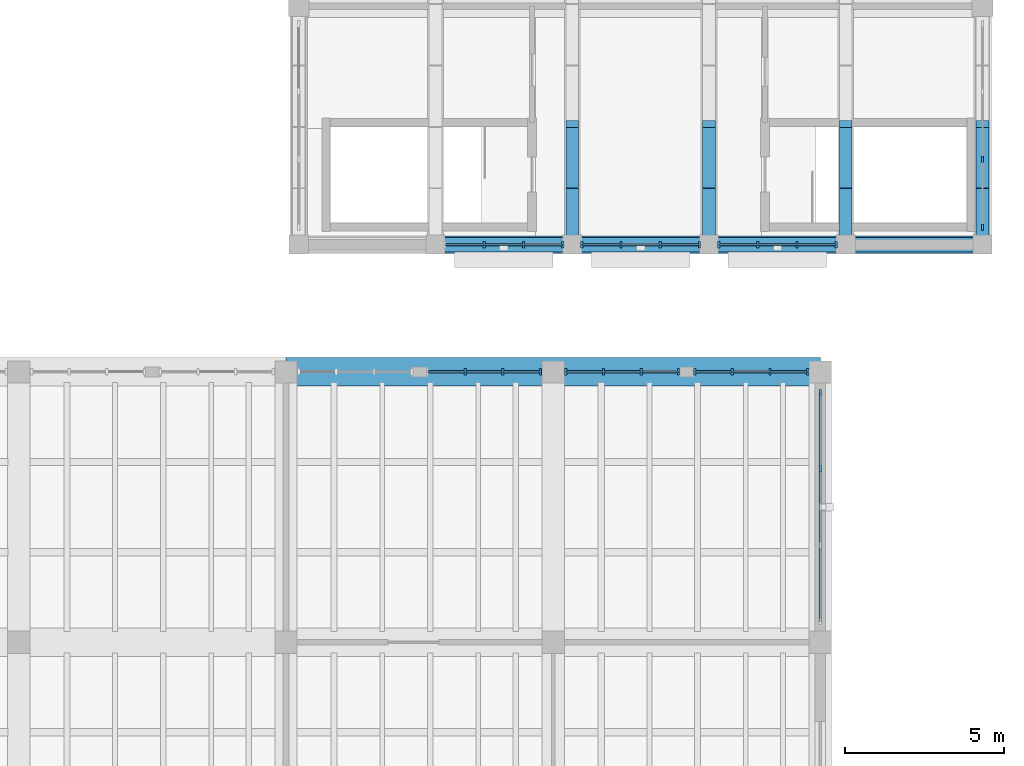
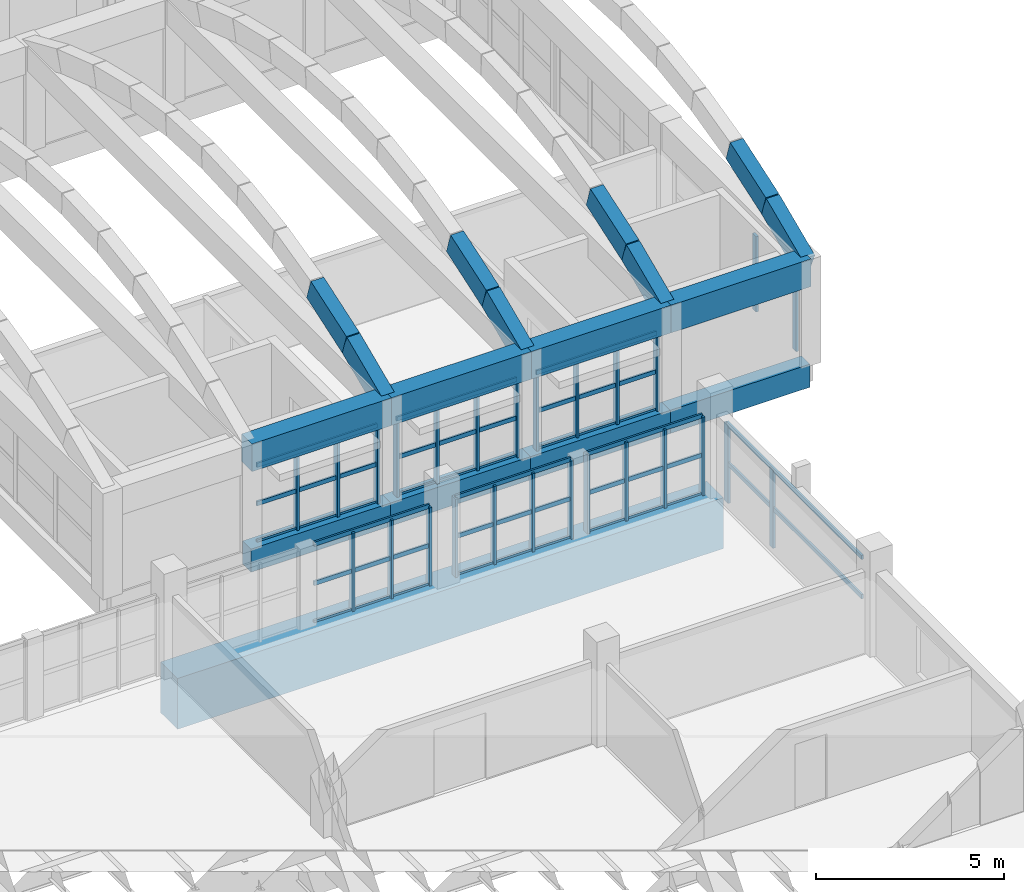
# One storey, part 41 of 77: 54 members, 9 beams, 8 elements without a shape of their own.
"""IFC4 building model written with IfcOpenShell, lengths in metres."""

from ifc_helpers import new_model, si_unit, direction, frame, origin, origin_2d, place, context, subcontext, project, spatial, rectangle, extrude, material, layer, layer_set, material_profile, profile_set, type_object, element, aggregate, save


model = new_model("IFC4")

# Units and contexts
model_context = context("Model", 3, precision=1e-05, world=origin(), true_north=direction((0.0, 1.0)))
body_context = subcontext(model_context, "Body", "Model", "MODEL_VIEW")
ifc_project = project(units=[si_unit("LENGTHUNIT", "METRE"), si_unit("AREAUNIT", "SQUARE_METRE"), si_unit("VOLUMEUNIT", "CUBIC_METRE"), si_unit("PLANEANGLEUNIT", "RADIAN"), si_unit("MASSUNIT", "GRAM", prefix="KILO")], contexts=[model_context])

# Site, building, storey
site_placement = place(None, origin())
site = spatial("IfcSite", under=ifc_project, at=site_placement, CompositionType="ELEMENT")
building_placement = place(site_placement, origin())
building = spatial("IfcBuilding", under=site, at=building_placement, Name="Trellovar Central Fire Station", CompositionType="ELEMENT")
storey_placement = place(building_placement, frame((0.0, 0.0, 5.85009765625)))
storey = spatial("IfcBuildingStorey", under=building, at=storey_placement, Name="L02", CompositionType="ELEMENT", Elevation=5.85009765625)

# Beams
ifc_material_1 = material(Name="Concrete C40/50", Category="concrete")
ifc_material_profile_1 = material_profile(ifc_material_1, rectangle(XDim=0.449951171875, YDim=0.75, at=origin_2d()), Name="RC450X750")
ifc_profile_set_1 = profile_set([ifc_material_profile_1], Name="Concrete C40/50")
beam_type_1 = type_object("IfcBeamType", Name="BM-G2", PredefinedType="BEAM", material=ifc_profile_set_1)
beam_1_placement = place(storey_placement, frame((143.800048828125, 37.0, -0.375), z_axis=(1.0, 0.0, 0.0), x_axis=(0.0, 1.0, 0.0)))
element("IfcBeam", 1, at=beam_1_placement, inside=storey, type_object=beam_type_1, Name="L02 beam G-2", PredefinedType="BEAM", context=body_context, shape_type="SweptSolid", body=[
    extrude(rectangle(XDim=0.449951171875, YDim=0.75, at=origin_2d()), origin(), (0.0, 0.0, 1.0), 4.300048828125),
])
beam_2_placement = place(storey_placement, frame((148.10009765625, 37.0, -0.375), z_axis=(1.0, 0.0, 0.0), x_axis=(0.0, 1.0, 0.0)))
element("IfcBeam", 2, at=beam_2_placement, inside=storey, type_object=beam_type_1, Name="L02 beam G-2", PredefinedType="BEAM", context=body_context, shape_type="SweptSolid", body=[
    extrude(rectangle(XDim=0.449951171875, YDim=0.75, at=origin_2d()), origin(), (0.0, 0.0, 1.0), 4.2998046875),
])
for number, where, z_axis, x_axis, name in (
    (3, (152.39990234375, 37.0, -0.375), (1.0, 0.0, 0.0), (0.0, 1.0, 0.0), "L02 beam G-2"),
    (4, (156.699951171875, 37.0, -0.375), (1.0, 0.0, 0.0), (0.0, 1.0, 0.0), "L02 beam G-2"),
):
    element("IfcBeam", number, at=place(storey_placement, frame(where, z_axis=z_axis, x_axis=x_axis)), inside=storey, type_object=beam_type_1, Name=name, PredefinedType="BEAM", context=body_context, shape_type="SweptSolid", body=[
        extrude(rectangle(XDim=0.449951171875, YDim=0.75, at=origin_2d()), origin(), (0.0, 0.0, 1.0), 4.300048828125),
    ])
ifc_material_2 = material(Name="Concrete C40/50", Category="concrete")
ifc_material_profile_2 = material_profile(ifc_material_2, rectangle(XDim=0.550048828125, YDim=0.89990234375, at=origin_2d()), Name="RC550X900")
ifc_profile_set_2 = profile_set([ifc_material_profile_2], Name="Concrete C40/50")
beam_type_2 = type_object("IfcBeamType", Name="BM-RG3", PredefinedType="BEAM", material=ifc_profile_set_2)
beam_3_placement = place(storey_placement, frame((143.800048828125, 37.0, 3.0), z_axis=(1.0, 0.0, 0.0), x_axis=(0.0, 1.0, 0.0)))
element("IfcBeam", 5, at=beam_3_placement, inside=storey, type_object=beam_type_2, Name="L02 beam RG-3", PredefinedType="BEAM", context=body_context, shape_type="SweptSolid", body=[
    extrude(rectangle(XDim=0.550048828125, YDim=0.89990234375, at=origin_2d()), origin(), (0.0, 0.0, 1.0), 4.300048828125),
])
beam_4_placement = place(storey_placement, frame((148.10009765625, 37.0, 3.0), z_axis=(1.0, 0.0, 0.0), x_axis=(0.0, 1.0, 0.0)))
element("IfcBeam", 6, at=beam_4_placement, inside=storey, type_object=beam_type_2, Name="L02 beam RG-3", PredefinedType="BEAM", context=body_context, shape_type="SweptSolid", body=[
    extrude(rectangle(XDim=0.550048828125, YDim=0.89990234375, at=origin_2d()), origin(), (0.0, 0.0, 1.0), 4.2998046875),
])
for number, where, z_axis, x_axis, name in (
    (7, (152.39990234375, 37.0, 3.0), (1.0, 0.0, 0.0), (0.0, 1.0, 0.0), "L02 beam RG-3"),
    (8, (156.699951171875, 37.0, 3.0), (1.0, 0.0, 0.0), (0.0, 1.0, 0.0), "L02 beam RG-3"),
):
    element("IfcBeam", number, at=place(storey_placement, frame(where, z_axis=z_axis, x_axis=x_axis)), inside=storey, type_object=beam_type_2, Name=name, PredefinedType="BEAM", context=body_context, shape_type="SweptSolid", body=[
        extrude(rectangle(XDim=0.550048828125, YDim=0.89990234375, at=origin_2d()), origin(), (0.0, 0.0, 1.0), 4.300048828125),
    ])
ifc_material_3 = material(Name="Concrete C45/55", Category="concrete")
ifc_material_profile_3 = material_profile(ifc_material_3, rectangle(XDim=0.89990234375, YDim=1.64990234375, at=origin_2d()), Name="RC900X1650")
ifc_profile_set_3 = profile_set([ifc_material_profile_3], Name="Concrete C45/55")
beam_type_3 = type_object("IfcBeamType", Name="BM-TG1", PredefinedType="BEAM", material=ifc_profile_set_3)
beam_5_placement = place(storey_placement, frame((139.10009765625, 33.0, -0.8251953125), z_axis=(1.0, 0.0, 0.0), x_axis=(0.0, 1.0, 0.0)))
element("IfcBeam", 9, at=beam_5_placement, inside=storey, type_object=beam_type_3, Name="L02 RC transfer girder TG-1 (139.1..155.9, Y=33.0)", PredefinedType="BEAM", context=body_context, shape_type="SweptSolid", body=[
    extrude(rectangle(XDim=0.89990234375, YDim=1.64990234375, at=origin_2d()), origin(), (0.0, 0.0, 1.0), 16.7998046875),
])

# Curtain wall, members
ifc_material_4 = material(Name="Thermally broken bronze anodized aluminum", Category="aluminium")
ifc_layer_1 = layer(ifc_material_4, 0.159912109375)
ifc_layer_set_1 = layer_set([ifc_layer_1], Name="Thermally broken bronze anodized aluminum")
curtain_wall_type_1 = type_object("IfcCurtainWallType", Name="CW-09", PredefinedType="NOTDEFINED", material=ifc_layer_set_1)
curtain_wall_1_placement = place(storey_placement, origin())
curtain_wall_1 = element("IfcCurtainWall", 10, at=curtain_wall_1_placement, inside=storey, type_object=curtain_wall_type_1, Name="L02 curtain wall CW-9", PredefinedType="NOTDEFINED")
ifc_material_5 = material(Name="Thermally broken bronze anodized aluminum", Category="aluminium")
ifc_material_profile_4 = material_profile(ifc_material_5, rectangle(XDim=0.074951171875, YDim=0.199951171875, at=origin_2d()), Name="ALU75X200")
ifc_profile_set_4 = profile_set([ifc_material_profile_4], Name="Thermally broken bronze anodized aluminum")
member_type_1 = type_object("IfcMemberType", Name="CWM-1", PredefinedType="MULLION", material=ifc_profile_set_4)
member_1_placement = place(storey_placement, frame((147.10009765625, 33.0, 0.0), z_axis=(0.0, 0.0, 1.0), x_axis=(1.0, 0.0, 0.0)))
member_1 = element("IfcMember", 11, at=member_1_placement, type_object=member_type_1, Name="CW3-L02-0067 mullion 1", PredefinedType="MULLION", context=body_context, shape_type="SweptSolid", body=[
    extrude(rectangle(XDim=0.074951171875, YDim=0.199951171875, at=origin_2d()), origin(), (0.0, 0.0, 1.0), 2.5498046875),
])
member_2_placement = place(storey_placement, frame((145.916748046875, 33.0, 0.0), z_axis=(0.0, 0.0, 1.0), x_axis=(1.0, 0.0, 0.0)))
member_2 = element("IfcMember", 12, at=member_2_placement, type_object=member_type_1, Name="CW3-L02-0067 mullion 2", PredefinedType="MULLION", context=body_context, shape_type="SweptSolid", body=[
    extrude(rectangle(XDim=0.074951171875, YDim=0.199951171875, at=origin_2d()), origin(), (0.0, 0.0, 1.0), 2.5498046875),
])
member_3_placement = place(storey_placement, frame((144.7333984375, 33.0, 0.0), z_axis=(0.0, 0.0, 1.0), x_axis=(1.0, 0.0, 0.0)))
member_3 = element("IfcMember", 13, at=member_3_placement, type_object=member_type_1, Name="CW3-L02-0067 mullion 3", PredefinedType="MULLION", context=body_context, shape_type="SweptSolid", body=[
    extrude(rectangle(XDim=0.074951171875, YDim=0.199951171875, at=origin_2d()), origin(), (0.0, 0.0, 1.0), 2.5498046875),
])

curtain_wall_2_placement = place(storey_placement, origin())
curtain_wall_2 = element("IfcCurtainWall", 14, at=curtain_wall_2_placement, inside=storey, type_object=curtain_wall_type_1, Name="L02 curtain wall CW-9", PredefinedType="NOTDEFINED")
member_4_placement = place(storey_placement, frame((155.5, 33.0, 0.0), z_axis=(0.0, 0.0, 1.0), x_axis=(1.0, 0.0, 0.0)))
member_4 = element("IfcMember", 15, at=member_4_placement, type_object=member_type_1, Name="CW3-L02-0069 mullion 1", PredefinedType="MULLION", context=body_context, shape_type="SweptSolid", body=[
    extrude(rectangle(XDim=0.074951171875, YDim=0.199951171875, at=origin_2d()), origin(), (0.0, 0.0, 1.0), 2.5498046875),
])
member_5_placement = place(storey_placement, frame((154.316650390625, 33.0, 0.0), z_axis=(0.0, 0.0, 1.0), x_axis=(1.0, 0.0, 0.0)))
member_5 = element("IfcMember", 16, at=member_5_placement, type_object=member_type_1, Name="CW3-L02-0069 mullion 2", PredefinedType="MULLION", context=body_context, shape_type="SweptSolid", body=[
    extrude(rectangle(XDim=0.074951171875, YDim=0.199951171875, at=origin_2d()), origin(), (0.0, 0.0, 1.0), 2.5498046875),
])
member_6_placement = place(storey_placement, frame((153.13330078125, 33.0, 0.0), z_axis=(0.0, 0.0, 1.0), x_axis=(1.0, 0.0, 0.0)))
member_6 = element("IfcMember", 17, at=member_6_placement, type_object=member_type_1, Name="CW3-L02-0069 mullion 3", PredefinedType="MULLION", context=body_context, shape_type="SweptSolid", body=[
    extrude(rectangle(XDim=0.074951171875, YDim=0.199951171875, at=origin_2d()), origin(), (0.0, 0.0, 1.0), 2.5498046875),
])
member_7_placement = place(storey_placement, frame((151.949951171875, 33.0, 0.0), z_axis=(0.0, 0.0, 1.0), x_axis=(1.0, 0.0, 0.0)))
member_7 = element("IfcMember", 18, at=member_7_placement, type_object=member_type_1, Name="CW3-L02-0069 mullion 4", PredefinedType="MULLION", context=body_context, shape_type="SweptSolid", body=[
    extrude(rectangle(XDim=0.074951171875, YDim=0.199951171875, at=origin_2d()), origin(), (0.0, 0.0, 1.0), 2.5498046875),
])

ifc_material_6 = material(Name="Thermally broken bronze anodized aluminum", Category="aluminium")
ifc_layer_2 = layer(ifc_material_6, 0.159912109375)
ifc_layer_set_2 = layer_set([ifc_layer_2], Name="Thermally broken bronze anodized aluminum")
curtain_wall_type_2 = type_object("IfcCurtainWallType", Name="CW-10", PredefinedType="NOTDEFINED", material=ifc_layer_set_2)
curtain_wall_3_placement = place(storey_placement, origin())
curtain_wall_3 = element("IfcCurtainWall", 19, at=curtain_wall_3_placement, inside=storey, type_object=curtain_wall_type_2, Name="L02 curtain wall CW-10", PredefinedType="NOTDEFINED")
member_8_placement = place(storey_placement, frame((151.449951171875, 33.0, 0.0), z_axis=(0.0, 0.0, 1.0), x_axis=(1.0, 0.0, 0.0)))
member_8 = element("IfcMember", 20, at=member_8_placement, type_object=member_type_1, Name="CW3-L02-0070 mullion 1", PredefinedType="MULLION", context=body_context, shape_type="SweptSolid", body=[
    extrude(rectangle(XDim=0.074951171875, YDim=0.199951171875, at=origin_2d()), origin(), (0.0, 0.0, 1.0), 2.5498046875),
])
member_9_placement = place(storey_placement, frame((150.2666015625, 33.0, 0.0), z_axis=(0.0, 0.0, 1.0), x_axis=(1.0, 0.0, 0.0)))
member_9 = element("IfcMember", 21, at=member_9_placement, type_object=member_type_1, Name="CW3-L02-0070 mullion 2", PredefinedType="MULLION", context=body_context, shape_type="SweptSolid", body=[
    extrude(rectangle(XDim=0.074951171875, YDim=0.199951171875, at=origin_2d()), origin(), (0.0, 0.0, 1.0), 2.5498046875),
])
member_10_placement = place(storey_placement, frame((149.083251953125, 33.0, 0.0), z_axis=(0.0, 0.0, 1.0), x_axis=(1.0, 0.0, 0.0)))
member_10 = element("IfcMember", 22, at=member_10_placement, type_object=member_type_1, Name="CW3-L02-0070 mullion 3", PredefinedType="MULLION", context=body_context, shape_type="SweptSolid", body=[
    extrude(rectangle(XDim=0.074951171875, YDim=0.199951171875, at=origin_2d()), origin(), (0.0, 0.0, 1.0), 2.5498046875),
])
member_11_placement = place(storey_placement, frame((147.89990234375, 33.0, 0.0), z_axis=(0.0, 0.0, 1.0), x_axis=(1.0, 0.0, 0.0)))
member_11 = element("IfcMember", 23, at=member_11_placement, type_object=member_type_1, Name="CW3-L02-0070 mullion 4", PredefinedType="MULLION", context=body_context, shape_type="SweptSolid", body=[
    extrude(rectangle(XDim=0.074951171875, YDim=0.199951171875, at=origin_2d()), origin(), (0.0, 0.0, 1.0), 2.5498046875),
])

ifc_material_7 = material(Name="Thermally broken bronze anodized aluminum", Category="aluminium")
ifc_layer_3 = layer(ifc_material_7, 0.159912109375)
ifc_layer_set_3 = layer_set([ifc_layer_3], Name="Thermally broken bronze anodized aluminum")
curtain_wall_type_3 = type_object("IfcCurtainWallType", Name="CW-01", PredefinedType="NOTDEFINED", material=ifc_layer_set_3)
curtain_wall_4_placement = place(storey_placement, origin())
curtain_wall_4 = element("IfcCurtainWall", 24, at=curtain_wall_4_placement, inside=storey, type_object=curtain_wall_type_3, Name="L02 curtain wall CW-1", PredefinedType="NOTDEFINED")
member_12_placement = place(storey_placement, frame((155.89990234375, 29.949951171875, 0.0), z_axis=(0.0, 0.0, 1.0), x_axis=(1.0, 0.0, 0.0)))
member_12 = element("IfcMember", 25, at=member_12_placement, type_object=member_type_1, Name="CW3-L02-0075 mullion 3", PredefinedType="MULLION", context=body_context, shape_type="SweptSolid", body=[
    extrude(rectangle(XDim=0.074951171875, YDim=0.199951171875, at=origin_2d()), origin(), (0.0, 0.0, 1.0), 2.5498046875),
])
member_13_placement = place(storey_placement, frame((155.89990234375, 32.35009765625, 0.0), z_axis=(0.0, 0.0, 1.0), x_axis=(1.0, 0.0, 0.0)))
member_13 = element("IfcMember", 26, at=member_13_placement, type_object=member_type_1, Name="CW3-L02-0075 mullion 4", PredefinedType="MULLION", context=body_context, shape_type="SweptSolid", body=[
    extrude(rectangle(XDim=0.074951171875, YDim=0.199951171875, at=origin_2d()), origin(), (0.0, 0.0, 1.0), 2.5498046875),
])

ifc_material_8 = material(Name="Thermally broken bronze anodized aluminum", Category="aluminium")
ifc_layer_4 = layer(ifc_material_8, 0.159912109375)
ifc_layer_set_4 = layer_set([ifc_layer_4], Name="Thermally broken bronze anodized aluminum")
curtain_wall_type_4 = type_object("IfcCurtainWallType", Name="CW-07", PredefinedType="NOTDEFINED", material=ifc_layer_set_4)
curtain_wall_5_placement = place(storey_placement, origin())
curtain_wall_5 = element("IfcCurtainWall", 27, at=curtain_wall_5_placement, inside=storey, type_object=curtain_wall_type_4, Name="L02 curtain wall CW-7", PredefinedType="NOTDEFINED")
member_14_placement = place(storey_placement, frame((145.333251953125, 37.0, 0.0), z_axis=(0.0, 0.0, 1.0), x_axis=(1.0, 0.0, 0.0)))
member_14 = element("IfcMember", 28, at=member_14_placement, type_object=member_type_1, Name="CW3-L02-0144 mullion 2", PredefinedType="MULLION", context=body_context, shape_type="SweptSolid", body=[
    extrude(rectangle(XDim=0.074951171875, YDim=0.199951171875, at=origin_2d()), origin(), (0.0, 0.0, 1.0), 2.5),
])
member_15_placement = place(storey_placement, frame((146.566650390625, 37.0, 0.0), z_axis=(0.0, 0.0, 1.0), x_axis=(1.0, 0.0, 0.0)))
member_15 = element("IfcMember", 29, at=member_15_placement, type_object=member_type_1, Name="CW3-L02-0144 mullion 3", PredefinedType="MULLION", context=body_context, shape_type="SweptSolid", body=[
    extrude(rectangle(XDim=0.074951171875, YDim=0.199951171875, at=origin_2d()), origin(), (0.0, 0.0, 1.0), 2.5),
])
member_16_placement = place(storey_placement, frame((147.800048828125, 37.0, 0.0), z_axis=(0.0, 0.0, 1.0), x_axis=(1.0, 0.0, 0.0)))
member_16 = element("IfcMember", 30, at=member_16_placement, type_object=member_type_1, Name="CW3-L02-0144 mullion 4", PredefinedType="MULLION", context=body_context, shape_type="SweptSolid", body=[
    extrude(rectangle(XDim=0.074951171875, YDim=0.199951171875, at=origin_2d()), origin(), (0.0, 0.0, 1.0), 2.5),
])

curtain_wall_6_placement = place(storey_placement, origin())
curtain_wall_6 = element("IfcCurtainWall", 31, at=curtain_wall_6_placement, inside=storey, type_object=curtain_wall_type_4, Name="L02 curtain wall CW-7", PredefinedType="NOTDEFINED")
member_17_placement = place(storey_placement, frame((148.39990234375, 37.0, 0.0), z_axis=(0.0, 0.0, 1.0), x_axis=(1.0, 0.0, 0.0)))
member_17 = element("IfcMember", 32, at=member_17_placement, type_object=member_type_1, Name="CW3-L02-0145 mullion 1", PredefinedType="MULLION", context=body_context, shape_type="SweptSolid", body=[
    extrude(rectangle(XDim=0.074951171875, YDim=0.199951171875, at=origin_2d()), origin(), (0.0, 0.0, 1.0), 2.5),
])
member_18_placement = place(storey_placement, frame((149.63330078125, 37.0, 0.0), z_axis=(0.0, 0.0, 1.0), x_axis=(1.0, 0.0, 0.0)))
member_18 = element("IfcMember", 33, at=member_18_placement, type_object=member_type_1, Name="CW3-L02-0145 mullion 2", PredefinedType="MULLION", context=body_context, shape_type="SweptSolid", body=[
    extrude(rectangle(XDim=0.074951171875, YDim=0.199951171875, at=origin_2d()), origin(), (0.0, 0.0, 1.0), 2.5),
])
member_19_placement = place(storey_placement, frame((150.86669921875, 37.0, 0.0), z_axis=(0.0, 0.0, 1.0), x_axis=(1.0, 0.0, 0.0)))
member_19 = element("IfcMember", 34, at=member_19_placement, type_object=member_type_1, Name="CW3-L02-0145 mullion 3", PredefinedType="MULLION", context=body_context, shape_type="SweptSolid", body=[
    extrude(rectangle(XDim=0.074951171875, YDim=0.199951171875, at=origin_2d()), origin(), (0.0, 0.0, 1.0), 2.5),
])
member_20_placement = place(storey_placement, frame((152.10009765625, 37.0, 0.0), z_axis=(0.0, 0.0, 1.0), x_axis=(1.0, 0.0, 0.0)))
member_20 = element("IfcMember", 35, at=member_20_placement, type_object=member_type_1, Name="CW3-L02-0145 mullion 4", PredefinedType="MULLION", context=body_context, shape_type="SweptSolid", body=[
    extrude(rectangle(XDim=0.074951171875, YDim=0.199951171875, at=origin_2d()), origin(), (0.0, 0.0, 1.0), 2.5),
])

curtain_wall_7_placement = place(storey_placement, origin())
curtain_wall_7 = element("IfcCurtainWall", 36, at=curtain_wall_7_placement, inside=storey, type_object=curtain_wall_type_4, Name="L02 curtain wall CW-7", PredefinedType="NOTDEFINED")
member_21_placement = place(storey_placement, frame((152.699951171875, 37.0, 0.0), z_axis=(0.0, 0.0, 1.0), x_axis=(1.0, 0.0, 0.0)))
member_21 = element("IfcMember", 37, at=member_21_placement, type_object=member_type_1, Name="CW3-L02-0147 mullion 1", PredefinedType="MULLION", context=body_context, shape_type="SweptSolid", body=[
    extrude(rectangle(XDim=0.074951171875, YDim=0.199951171875, at=origin_2d()), origin(), (0.0, 0.0, 1.0), 2.5),
])
member_22_placement = place(storey_placement, frame((153.933349609375, 37.0, 0.0), z_axis=(0.0, 0.0, 1.0), x_axis=(1.0, 0.0, 0.0)))
member_22 = element("IfcMember", 38, at=member_22_placement, type_object=member_type_1, Name="CW3-L02-0147 mullion 2", PredefinedType="MULLION", context=body_context, shape_type="SweptSolid", body=[
    extrude(rectangle(XDim=0.074951171875, YDim=0.199951171875, at=origin_2d()), origin(), (0.0, 0.0, 1.0), 2.5),
])
member_23_placement = place(storey_placement, frame((155.166748046875, 37.0, 0.0), z_axis=(0.0, 0.0, 1.0), x_axis=(1.0, 0.0, 0.0)))
member_23 = element("IfcMember", 39, at=member_23_placement, type_object=member_type_1, Name="CW3-L02-0147 mullion 3", PredefinedType="MULLION", context=body_context, shape_type="SweptSolid", body=[
    extrude(rectangle(XDim=0.074951171875, YDim=0.199951171875, at=origin_2d()), origin(), (0.0, 0.0, 1.0), 2.5),
])
member_24_placement = place(storey_placement, frame((156.39990234375, 37.0, 0.0), z_axis=(0.0, 0.0, 1.0), x_axis=(1.0, 0.0, 0.0)))
member_24 = element("IfcMember", 40, at=member_24_placement, type_object=member_type_1, Name="CW3-L02-0147 mullion 4", PredefinedType="MULLION", context=body_context, shape_type="SweptSolid", body=[
    extrude(rectangle(XDim=0.074951171875, YDim=0.199951171875, at=origin_2d()), origin(), (0.0, 0.0, 1.0), 2.5),
])

ifc_material_9 = material(Name="Thermally broken bronze anodized aluminum", Category="aluminium")
ifc_layer_5 = layer(ifc_material_9, 0.159912109375)
ifc_layer_set_5 = layer_set([ifc_layer_5], Name="Thermally broken bronze anodized aluminum")
curtain_wall_type_5 = type_object("IfcCurtainWallType", Name="CW-12", PredefinedType="NOTDEFINED", material=ifc_layer_set_5)
curtain_wall_8_placement = place(storey_placement, origin())
curtain_wall_8 = element("IfcCurtainWall", 41, at=curtain_wall_8_placement, inside=storey, type_object=curtain_wall_type_5, Name="V3 L02 E gallery CW", PredefinedType="NOTDEFINED")
member_25_placement = place(storey_placement, frame((161.0, 37.550048828125, 0.0), z_axis=(0.0, 0.0, 1.0), x_axis=(1.0, 0.0, 0.0)))
member_25 = element("IfcMember", 42, at=member_25_placement, type_object=member_type_1, Name="CW3-L02-0151 mullion 1", PredefinedType="MULLION", context=body_context, shape_type="SweptSolid", body=[
    extrude(rectangle(XDim=0.074951171875, YDim=0.199951171875, at=origin_2d()), origin(), (0.0, 0.0, 1.0), 2.449951171875),
])
member_26_placement = place(storey_placement, frame((161.0, 39.683349609375, 0.0), z_axis=(0.0, 0.0, 1.0), x_axis=(1.0, 0.0, 0.0)))
member_26 = element("IfcMember", 43, at=member_26_placement, type_object=member_type_1, Name="CW3-L02-0151 mullion 2", PredefinedType="MULLION", context=body_context, shape_type="SweptSolid", body=[
    extrude(rectangle(XDim=0.074951171875, YDim=0.199951171875, at=origin_2d()), origin(), (0.0, 0.0, 1.0), 2.449951171875),
])
aggregate(curtain_wall_8, [member_25, member_26])

# Member
ifc_material_10 = material(Name="Thermally broken bronze anodized aluminum", Category="aluminium")
ifc_material_profile_5 = material_profile(ifc_material_10, rectangle(XDim=0.06005859375, YDim=0.139892578125, at=origin_2d()), Name="ALU60X140")
ifc_profile_set_5 = profile_set([ifc_material_profile_5], Name="Thermally broken bronze anodized aluminum")
member_type_2 = type_object("IfcMemberType", Name="CWT-1", PredefinedType="USERDEFINED", material=ifc_profile_set_5)
member_27_placement = place(storey_placement, frame((147.10009765625, 33.0, 0.0), z_axis=(-1.0, 0.0, 0.0), x_axis=(0.0, -1.0, 0.0)))
member_27 = element("IfcMember", 44, at=member_27_placement, type_object=member_type_2, Name="CW3-L02-0067 transom 1", ObjectType="TRANSOM", PredefinedType="USERDEFINED", context=body_context, shape_type="SweptSolid", body=[
    extrude(rectangle(XDim=0.06005859375, YDim=0.139892578125, at=origin_2d()), origin(), (0.0, 0.0, 1.0), 3.550048828125),
])

member_28_placement = place(storey_placement, frame((147.10009765625, 33.0, 1.27490234375), z_axis=(-1.0, 0.0, 0.0), x_axis=(0.0, -1.0, 0.0)))
member_28 = element("IfcMember", 45, at=member_28_placement, type_object=member_type_2, Name="CW3-L02-0067 transom 2", ObjectType="TRANSOM", PredefinedType="USERDEFINED", context=body_context, shape_type="SweptSolid", body=[
    extrude(rectangle(XDim=0.06005859375, YDim=0.139892578125, at=origin_2d()), origin(), (0.0, 0.0, 1.0), 3.550048828125),
])

member_29_placement = place(storey_placement, frame((147.10009765625, 33.0, 2.5498046875), z_axis=(-1.0, 0.0, 0.0), x_axis=(0.0, -1.0, 0.0)))
member_29 = element("IfcMember", 46, at=member_29_placement, type_object=member_type_2, Name="CW3-L02-0067 transom 3", ObjectType="TRANSOM", PredefinedType="USERDEFINED", context=body_context, shape_type="SweptSolid", body=[
    extrude(rectangle(XDim=0.06005859375, YDim=0.139892578125, at=origin_2d()), origin(), (0.0, 0.0, 1.0), 3.550048828125),
])

aggregate(curtain_wall_1, [member_1, member_2, member_3, member_27, member_28, member_29])

member_30_placement = place(storey_placement, frame((155.5, 33.0, 0.0), z_axis=(-1.0, 0.0, 0.0), x_axis=(0.0, -1.0, 0.0)))
member_30 = element("IfcMember", 47, at=member_30_placement, type_object=member_type_2, Name="CW3-L02-0069 transom 1", ObjectType="TRANSOM", PredefinedType="USERDEFINED", context=body_context, shape_type="SweptSolid", body=[
    extrude(rectangle(XDim=0.06005859375, YDim=0.139892578125, at=origin_2d()), origin(), (0.0, 0.0, 1.0), 3.550048828125),
])

member_31_placement = place(storey_placement, frame((155.5, 33.0, 1.27490234375), z_axis=(-1.0, 0.0, 0.0), x_axis=(0.0, -1.0, 0.0)))
member_31 = element("IfcMember", 48, at=member_31_placement, type_object=member_type_2, Name="CW3-L02-0069 transom 2", ObjectType="TRANSOM", PredefinedType="USERDEFINED", context=body_context, shape_type="SweptSolid", body=[
    extrude(rectangle(XDim=0.06005859375, YDim=0.139892578125, at=origin_2d()), origin(), (0.0, 0.0, 1.0), 3.550048828125),
])

member_32_placement = place(storey_placement, frame((155.5, 33.0, 2.5498046875), z_axis=(-1.0, 0.0, 0.0), x_axis=(0.0, -1.0, 0.0)))
member_32 = element("IfcMember", 49, at=member_32_placement, type_object=member_type_2, Name="CW3-L02-0069 transom 3", ObjectType="TRANSOM", PredefinedType="USERDEFINED", context=body_context, shape_type="SweptSolid", body=[
    extrude(rectangle(XDim=0.06005859375, YDim=0.139892578125, at=origin_2d()), origin(), (0.0, 0.0, 1.0), 3.550048828125),
])

aggregate(curtain_wall_2, [member_4, member_5, member_6, member_7, member_30, member_31, member_32])

member_33_placement = place(storey_placement, frame((151.449951171875, 33.0, 0.0), z_axis=(-1.0, 0.0, 0.0), x_axis=(0.0, -1.0, 0.0)))
member_33 = element("IfcMember", 50, at=member_33_placement, type_object=member_type_2, Name="CW3-L02-0070 transom 1", ObjectType="TRANSOM", PredefinedType="USERDEFINED", context=body_context, shape_type="SweptSolid", body=[
    extrude(rectangle(XDim=0.06005859375, YDim=0.139892578125, at=origin_2d()), origin(), (0.0, 0.0, 1.0), 3.550048828125),
])

member_34_placement = place(storey_placement, frame((151.449951171875, 33.0, 1.27490234375), z_axis=(-1.0, 0.0, 0.0), x_axis=(0.0, -1.0, 0.0)))
member_34 = element("IfcMember", 51, at=member_34_placement, type_object=member_type_2, Name="CW3-L02-0070 transom 2", ObjectType="TRANSOM", PredefinedType="USERDEFINED", context=body_context, shape_type="SweptSolid", body=[
    extrude(rectangle(XDim=0.06005859375, YDim=0.139892578125, at=origin_2d()), origin(), (0.0, 0.0, 1.0), 3.550048828125),
])

member_35_placement = place(storey_placement, frame((151.449951171875, 33.0, 2.5498046875), z_axis=(-1.0, 0.0, 0.0), x_axis=(0.0, -1.0, 0.0)))
member_35 = element("IfcMember", 52, at=member_35_placement, type_object=member_type_2, Name="CW3-L02-0070 transom 3", ObjectType="TRANSOM", PredefinedType="USERDEFINED", context=body_context, shape_type="SweptSolid", body=[
    extrude(rectangle(XDim=0.06005859375, YDim=0.139892578125, at=origin_2d()), origin(), (0.0, 0.0, 1.0), 3.550048828125),
])

aggregate(curtain_wall_3, [member_8, member_9, member_10, member_11, member_33, member_34, member_35])

member_36_placement = place(storey_placement, frame((155.89990234375, 25.14990234375, 1.27490234375), z_axis=(0.0, 1.0, 0.0), x_axis=(-1.0, 0.0, 0.0)))
member_36 = element("IfcMember", 53, at=member_36_placement, type_object=member_type_2, Name="CW3-L02-0075 transom 2", ObjectType="TRANSOM", PredefinedType="USERDEFINED", context=body_context, shape_type="SweptSolid", body=[
    extrude(rectangle(XDim=0.06005859375, YDim=0.139892578125, at=origin_2d()), origin(), (0.0, 0.0, 1.0), 7.2001953125),
])

member_37_placement = place(storey_placement, frame((155.89990234375, 25.14990234375, 2.5498046875), z_axis=(0.0, 1.0, 0.0), x_axis=(-1.0, 0.0, 0.0)))
member_37 = element("IfcMember", 54, at=member_37_placement, type_object=member_type_2, Name="CW3-L02-0075 transom 3", ObjectType="TRANSOM", PredefinedType="USERDEFINED", context=body_context, shape_type="SweptSolid", body=[
    extrude(rectangle(XDim=0.06005859375, YDim=0.139892578125, at=origin_2d()), origin(), (0.0, 0.0, 1.0), 7.2001953125),
])

aggregate(curtain_wall_4, [member_12, member_13, member_36, member_37])

member_38_placement = place(storey_placement, frame((144.10009765625, 37.0, 0.0), z_axis=(1.0, 0.0, 0.0), x_axis=(0.0, 1.0, 0.0)))
member_38 = element("IfcMember", 55, at=member_38_placement, type_object=member_type_2, Name="CW3-L02-0144 transom 1", ObjectType="TRANSOM", PredefinedType="USERDEFINED", context=body_context, shape_type="SweptSolid", body=[
    extrude(rectangle(XDim=0.06005859375, YDim=0.139892578125, at=origin_2d()), origin(), (0.0, 0.0, 1.0), 3.699951171875),
])

member_39_placement = place(storey_placement, frame((144.10009765625, 37.0, 1.25), z_axis=(1.0, 0.0, 0.0), x_axis=(0.0, 1.0, 0.0)))
member_39 = element("IfcMember", 56, at=member_39_placement, type_object=member_type_2, Name="CW3-L02-0144 transom 2", ObjectType="TRANSOM", PredefinedType="USERDEFINED", context=body_context, shape_type="SweptSolid", body=[
    extrude(rectangle(XDim=0.06005859375, YDim=0.139892578125, at=origin_2d()), origin(), (0.0, 0.0, 1.0), 3.699951171875),
])

member_40_placement = place(storey_placement, frame((144.10009765625, 37.0, 2.5), z_axis=(1.0, 0.0, 0.0), x_axis=(0.0, 1.0, 0.0)))
member_40 = element("IfcMember", 57, at=member_40_placement, type_object=member_type_2, Name="CW3-L02-0144 transom 3", ObjectType="TRANSOM", PredefinedType="USERDEFINED", context=body_context, shape_type="SweptSolid", body=[
    extrude(rectangle(XDim=0.06005859375, YDim=0.139892578125, at=origin_2d()), origin(), (0.0, 0.0, 1.0), 3.699951171875),
])

aggregate(curtain_wall_5, [member_14, member_15, member_16, member_38, member_39, member_40])

member_41_placement = place(storey_placement, frame((148.39990234375, 37.0, 0.0), z_axis=(1.0, 0.0, 0.0), x_axis=(0.0, 1.0, 0.0)))
member_41 = element("IfcMember", 58, at=member_41_placement, type_object=member_type_2, Name="CW3-L02-0145 transom 1", ObjectType="TRANSOM", PredefinedType="USERDEFINED", context=body_context, shape_type="SweptSolid", body=[
    extrude(rectangle(XDim=0.06005859375, YDim=0.139892578125, at=origin_2d()), origin(), (0.0, 0.0, 1.0), 3.7001953125),
])

member_42_placement = place(storey_placement, frame((148.39990234375, 37.0, 1.25), z_axis=(1.0, 0.0, 0.0), x_axis=(0.0, 1.0, 0.0)))
member_42 = element("IfcMember", 59, at=member_42_placement, type_object=member_type_2, Name="CW3-L02-0145 transom 2", ObjectType="TRANSOM", PredefinedType="USERDEFINED", context=body_context, shape_type="SweptSolid", body=[
    extrude(rectangle(XDim=0.06005859375, YDim=0.139892578125, at=origin_2d()), origin(), (0.0, 0.0, 1.0), 3.7001953125),
])

member_43_placement = place(storey_placement, frame((148.39990234375, 37.0, 2.5), z_axis=(1.0, 0.0, 0.0), x_axis=(0.0, 1.0, 0.0)))
member_43 = element("IfcMember", 60, at=member_43_placement, type_object=member_type_2, Name="CW3-L02-0145 transom 3", ObjectType="TRANSOM", PredefinedType="USERDEFINED", context=body_context, shape_type="SweptSolid", body=[
    extrude(rectangle(XDim=0.06005859375, YDim=0.139892578125, at=origin_2d()), origin(), (0.0, 0.0, 1.0), 3.7001953125),
])

aggregate(curtain_wall_6, [member_17, member_18, member_19, member_20, member_41, member_42, member_43])

member_44_placement = place(storey_placement, frame((152.699951171875, 37.0, 0.0), z_axis=(1.0, 0.0, 0.0), x_axis=(0.0, 1.0, 0.0)))
member_44 = element("IfcMember", 61, at=member_44_placement, type_object=member_type_2, Name="CW3-L02-0147 transom 1", ObjectType="TRANSOM", PredefinedType="USERDEFINED", context=body_context, shape_type="SweptSolid", body=[
    extrude(rectangle(XDim=0.06005859375, YDim=0.139892578125, at=origin_2d()), origin(), (0.0, 0.0, 1.0), 3.699951171875),
])

member_45_placement = place(storey_placement, frame((152.699951171875, 37.0, 1.25), z_axis=(1.0, 0.0, 0.0), x_axis=(0.0, 1.0, 0.0)))
member_45 = element("IfcMember", 62, at=member_45_placement, type_object=member_type_2, Name="CW3-L02-0147 transom 2", ObjectType="TRANSOM", PredefinedType="USERDEFINED", context=body_context, shape_type="SweptSolid", body=[
    extrude(rectangle(XDim=0.06005859375, YDim=0.139892578125, at=origin_2d()), origin(), (0.0, 0.0, 1.0), 3.699951171875),
])

member_46_placement = place(storey_placement, frame((152.699951171875, 37.0, 2.5), z_axis=(1.0, 0.0, 0.0), x_axis=(0.0, 1.0, 0.0)))
member_46 = element("IfcMember", 63, at=member_46_placement, type_object=member_type_2, Name="CW3-L02-0147 transom 3", ObjectType="TRANSOM", PredefinedType="USERDEFINED", context=body_context, shape_type="SweptSolid", body=[
    extrude(rectangle(XDim=0.06005859375, YDim=0.139892578125, at=origin_2d()), origin(), (0.0, 0.0, 1.0), 3.699951171875),
])

aggregate(curtain_wall_7, [member_21, member_22, member_23, member_24, member_44, member_45, member_46])

# Members
ifc_material_11 = material(Name="Concrete C40/50", Category="concrete")
ifc_material_profile_6 = material_profile(ifc_material_11, rectangle(XDim=0.39990234375, YDim=0.699951171875, at=origin_2d()), Name="RC400X700")
ifc_profile_set_6 = profile_set([ifc_material_profile_6], Name="Concrete C40/50")
member_type_3 = type_object("IfcMemberType", Name="MEM-LR1", PredefinedType="CHORD", material=ifc_profile_set_6)
member_47_placement = place(storey_placement, frame((148.10009765625, 37.0, 3.099853515625), z_axis=(0.0, 0.916702602912, 0.399570191349), x_axis=(-1.0, 0.0, 0.0)))
element("IfcMember", 64, at=member_47_placement, inside=storey, type_object=member_type_3, Name="Lecture vault arch rib LR-03 chord 01", PredefinedType="CHORD", context=body_context, shape_type="SweptSolid", body=[
    extrude(rectangle(XDim=0.39990234375, YDim=0.699951171875, at=origin_2d()), origin(), (0.0, 0.0, 1.0), 2.072509765625),
])
member_48_placement = place(storey_placement, frame((148.10009765625, 38.89990234375, 3.927978515625), z_axis=(0.0, 0.947077166316, 0.321005982878), x_axis=(-1.0, 0.0, 0.0)))
element("IfcMember", 65, at=member_48_placement, inside=storey, type_object=member_type_3, Name="Lecture vault arch rib LR-03 chord 02", PredefinedType="CHORD", context=body_context, shape_type="SweptSolid", body=[
    extrude(rectangle(XDim=0.39990234375, YDim=0.699951171875, at=origin_2d()), origin(), (0.0, 0.0, 1.0), 2.00634765625),
])
member_49_placement = place(storey_placement, frame((152.39990234375, 37.0, 3.099853515625), z_axis=(0.0, 0.916702602912, 0.399570191349), x_axis=(-1.0, 0.0, 0.0)))
element("IfcMember", 66, at=member_49_placement, inside=storey, type_object=member_type_3, Name="Lecture vault arch rib LR-04 chord 01", PredefinedType="CHORD", context=body_context, shape_type="SweptSolid", body=[
    extrude(rectangle(XDim=0.39990234375, YDim=0.699951171875, at=origin_2d()), origin(), (0.0, 0.0, 1.0), 2.072509765625),
])
member_50_placement = place(storey_placement, frame((152.39990234375, 38.89990234375, 3.927978515625), z_axis=(0.0, 0.947077166316, 0.321005982878), x_axis=(-1.0, 0.0, 0.0)))
element("IfcMember", 67, at=member_50_placement, inside=storey, type_object=member_type_3, Name="Lecture vault arch rib LR-04 chord 02", PredefinedType="CHORD", context=body_context, shape_type="SweptSolid", body=[
    extrude(rectangle(XDim=0.39990234375, YDim=0.699951171875, at=origin_2d()), origin(), (0.0, 0.0, 1.0), 2.00634765625),
])
member_51_placement = place(storey_placement, frame((156.699951171875, 37.0, 3.099853515625), z_axis=(0.0, 0.916702602912, 0.399570191349), x_axis=(-1.0, 0.0, 0.0)))
element("IfcMember", 68, at=member_51_placement, inside=storey, type_object=member_type_3, Name="Lecture vault arch rib LR-05 chord 01", PredefinedType="CHORD", context=body_context, shape_type="SweptSolid", body=[
    extrude(rectangle(XDim=0.39990234375, YDim=0.699951171875, at=origin_2d()), origin(), (0.0, 0.0, 1.0), 2.072509765625),
])
member_52_placement = place(storey_placement, frame((156.699951171875, 38.89990234375, 3.927978515625), z_axis=(0.0, 0.947077166316, 0.321005982878), x_axis=(-1.0, 0.0, 0.0)))
element("IfcMember", 69, at=member_52_placement, inside=storey, type_object=member_type_3, Name="Lecture vault arch rib LR-05 chord 02", PredefinedType="CHORD", context=body_context, shape_type="SweptSolid", body=[
    extrude(rectangle(XDim=0.39990234375, YDim=0.699951171875, at=origin_2d()), origin(), (0.0, 0.0, 1.0), 2.00634765625),
])
member_53_placement = place(storey_placement, frame((161.0, 37.0, 3.099853515625), z_axis=(0.0, 0.916702602912, 0.399570191349), x_axis=(-1.0, 0.0, 0.0)))
element("IfcMember", 70, at=member_53_placement, inside=storey, type_object=member_type_3, Name="Lecture vault arch rib LR-06 chord 01", PredefinedType="CHORD", context=body_context, shape_type="SweptSolid", body=[
    extrude(rectangle(XDim=0.39990234375, YDim=0.699951171875, at=origin_2d()), origin(), (0.0, 0.0, 1.0), 2.072509765625),
])
member_54_placement = place(storey_placement, frame((161.0, 38.89990234375, 3.927978515625), z_axis=(0.0, 0.947077166316, 0.321005982878), x_axis=(-1.0, 0.0, 0.0)))
element("IfcMember", 71, at=member_54_placement, inside=storey, type_object=member_type_3, Name="Lecture vault arch rib LR-06 chord 02", PredefinedType="CHORD", context=body_context, shape_type="SweptSolid", body=[
    extrude(rectangle(XDim=0.39990234375, YDim=0.699951171875, at=origin_2d()), origin(), (0.0, 0.0, 1.0), 2.00634765625),
])

save(model, "model.ifc")
